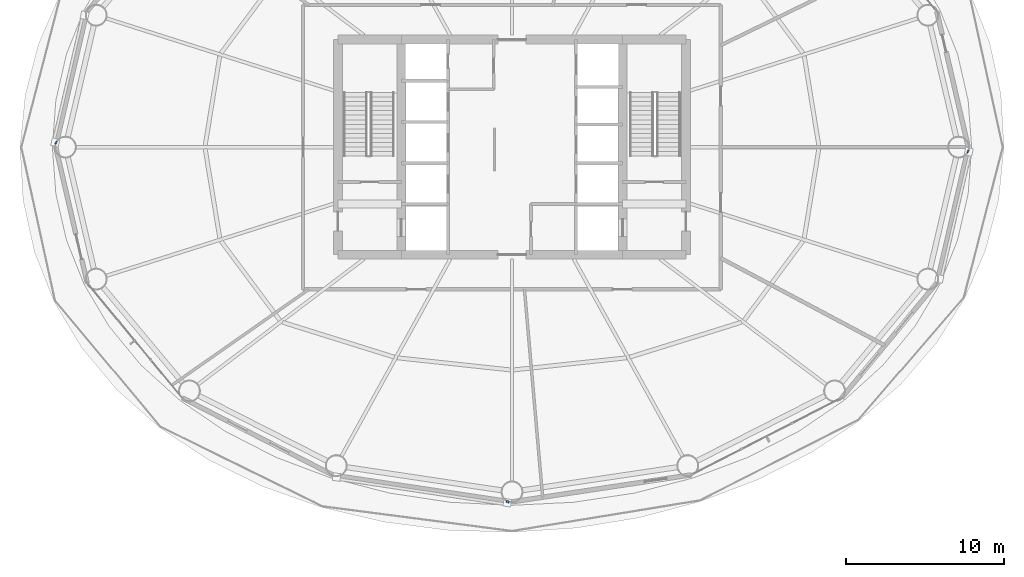
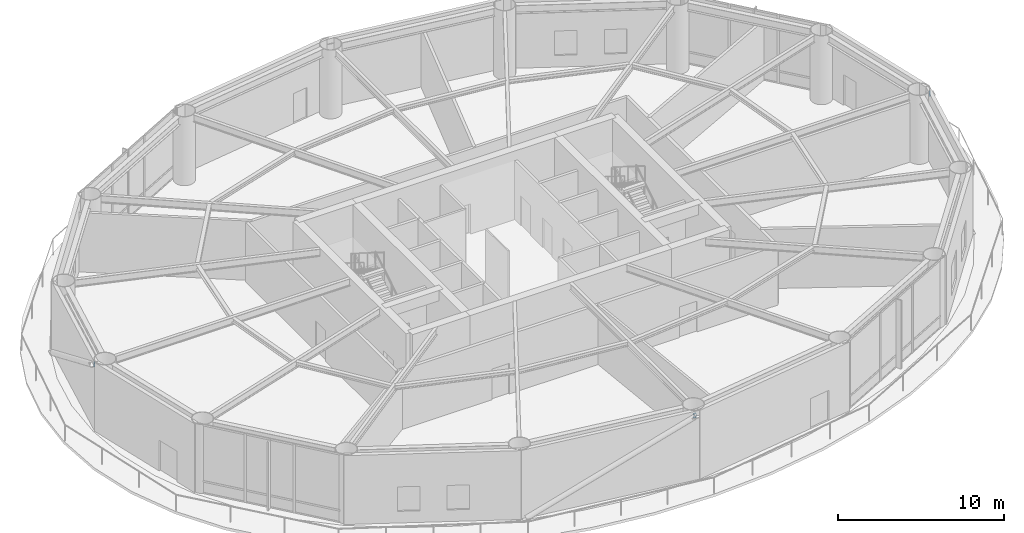
# One storey, part 16 of 25: 3 members.
"""IFC4 building model written with IfcOpenShell, lengths in metres."""

from ifc_helpers import new_model, si_unit, direction, frame, origin, origin_2d, place, context, subcontext, project, spatial, hollow_rectangle, extrude, material, material_profile, profile_set, type_object, element, save


model = new_model("IFC4")

# Units and contexts
model_context = context("Model", 3, precision=1e-05, world=origin(), true_north=direction((0.0, 1.0)))
body_context = subcontext(model_context, "Body", "Model", "MODEL_VIEW")
ifc_project = project(units=[si_unit("LENGTHUNIT", "METRE"), si_unit("AREAUNIT", "SQUARE_METRE"), si_unit("VOLUMEUNIT", "CUBIC_METRE"), si_unit("PLANEANGLEUNIT", "RADIAN"), si_unit("MASSUNIT", "GRAM", prefix="KILO")], contexts=[model_context])

# Site, building, storey
site_placement = place(None, origin())
site = spatial("IfcSite", under=ifc_project, at=site_placement, CompositionType="ELEMENT")
building_placement = place(site_placement, origin())
building = spatial("IfcBuilding", under=site, at=building_placement, Name="Sarneth Arch Tower", CompositionType="ELEMENT")
storey_placement = place(building_placement, frame((0.0, 0.0, 134.39990234375)))
storey = spatial("IfcBuildingStorey", under=building, at=storey_placement, Name="L34", CompositionType="ELEMENT", Elevation=134.39990234375)

# Members
ifc_material = material(Name="Steel S355", Category="steel")
ifc_material_profile = material_profile(ifc_material, hollow_rectangle(XDim=0.199951171875, YDim=0.300048828125, WallThickness=0.012451171875, InnerFilletRadius=0.018798828125, OuterFilletRadius=0.03125, at=origin_2d()), Name="RHS300x200x12.5")
ifc_profile_set = profile_set([ifc_material_profile], Name="Steel S355")
member_type = type_object("IfcMemberType", Name="MEM-CANT-STRUT", PredefinedType="STRUT", material=ifc_profile_set)
member_1_placement = place(storey_placement, frame((19.21044921875, 42.251708984375, 4.68359375), z_axis=(-0.910281049829, 0.413990833621, 0.0), x_axis=(-0.413990833621, -0.910281049829, 0.0)))
element("IfcMember", 1, at=member_1_placement, inside=storey, type_object=member_type, Name="L34 Exoskeleton brace node strut 08B", PredefinedType="STRUT", context=body_context, shape_type="SweptSolid", body=[
    extrude(hollow_rectangle(XDim=0.199951171875, YDim=0.300048828125, WallThickness=0.012451171875, InnerFilletRadius=0.018798828125, OuterFilletRadius=0.03125, at=origin_2d()), origin(), (0.0, 0.0, 1.0), 0.097900390625),
])
member_2_placement = place(storey_placement, frame((47.7587890625, 19.642578125, 4.68359375), z_axis=(-0.397509148639, -0.917598210955, 0.0), x_axis=(0.917598210955, -0.397509148639, 0.0)))
element("IfcMember", 2, at=member_2_placement, inside=storey, type_object=member_type, Name="L34 Exoskeleton brace node strut 12B", PredefinedType="STRUT", context=body_context, shape_type="SweptSolid", body=[
    extrude(hollow_rectangle(XDim=0.199951171875, YDim=0.300048828125, WallThickness=0.012451171875, InnerFilletRadius=0.018798828125, OuterFilletRadius=0.03125, at=origin_2d()), origin(), (0.0, 0.0, 1.0), 0.139404296875),
])
member_3_placement = place(storey_placement, frame((76.78955078125, 41.748291015625, 4.68359375), z_axis=(0.910281049829, -0.413990833621, 0.0), x_axis=(0.413990833621, 0.910281049829, 0.0)))
element("IfcMember", 3, at=member_3_placement, inside=storey, type_object=member_type, Name="L34 Exoskeleton brace node strut 16B", PredefinedType="STRUT", context=body_context, shape_type="SweptSolid", body=[
    extrude(hollow_rectangle(XDim=0.199951171875, YDim=0.300048828125, WallThickness=0.012451171875, InnerFilletRadius=0.018798828125, OuterFilletRadius=0.03125, at=origin_2d()), origin(), (0.0, 0.0, 1.0), 0.097900390625),
])

save(model, "model.ifc")
